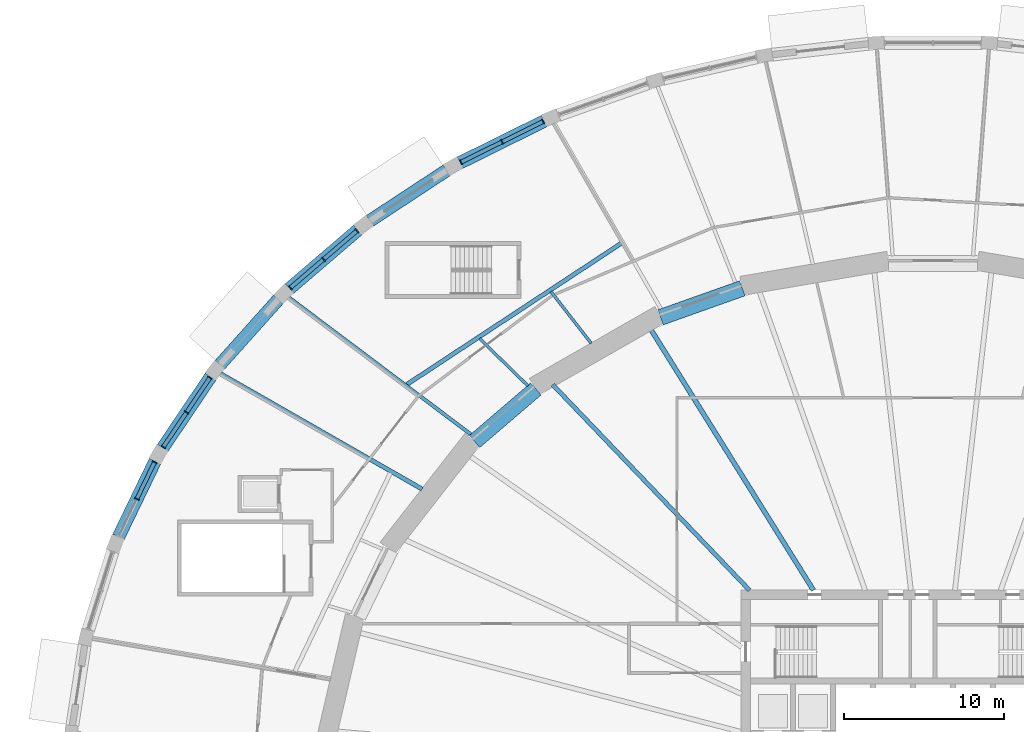
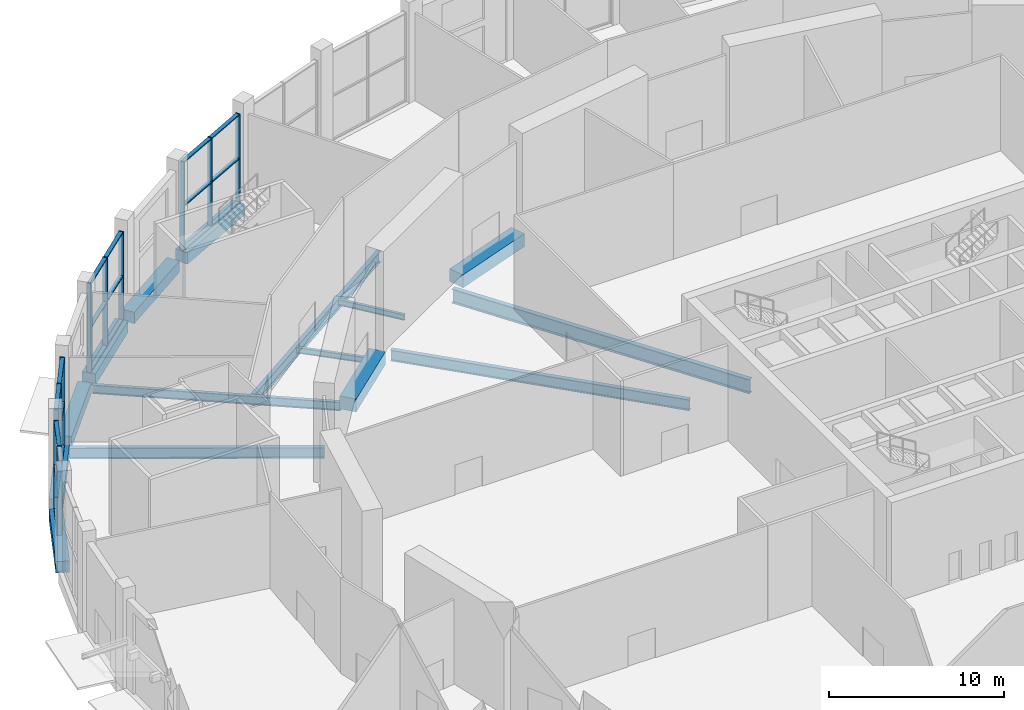
# One storey, part 11 of 33: 32 members, 15 beams, 4 elements without a shape of their own.
"""IFC4 building model written with IfcOpenShell, lengths in metres."""

from ifc_helpers import new_model, si_unit, direction, frame, origin, origin_2d, place, context, subcontext, project, spatial, rectangle, i_section, extrude, material, material_profile, profile_set, type_object, element, aggregate, save


model = new_model("IFC4")

# Units and contexts
model_context = context("Model", 3, precision=1e-05, world=origin(), true_north=direction((0.0, 1.0)))
body_context = subcontext(model_context, "Body", "Model", "MODEL_VIEW")
ifc_project = project(units=[si_unit("LENGTHUNIT", "METRE"), si_unit("AREAUNIT", "SQUARE_METRE"), si_unit("VOLUMEUNIT", "CUBIC_METRE"), si_unit("PLANEANGLEUNIT", "RADIAN"), si_unit("MASSUNIT", "GRAM", prefix="KILO")], contexts=[model_context])

# Site, building, storey
site_placement = place(None, origin())
site = spatial("IfcSite", under=ifc_project, at=site_placement, CompositionType="ELEMENT")
building_placement = place(site_placement, origin())
building = spatial("IfcBuilding", under=site, at=building_placement, Name="Halqa Exchange Tower", CompositionType="ELEMENT")
storey_placement = place(building_placement, origin())
storey = spatial("IfcBuildingStorey", under=building, at=storey_placement, Name="L00", CompositionType="ELEMENT", Elevation=0.0)

# Beams
ifc_material_1 = material(Name="Steel S355", Category="steel")
ifc_material_profile_1 = material_profile(ifc_material_1, i_section(OverallWidth=0.300048828125, OverallDepth=0.989990234375, WebThickness=0.0166015625, FlangeThickness=0.031005859375, FilletRadius=0.030029296875, at=origin_2d()), Name="HEA 1000")
ifc_profile_set_1 = profile_set([ifc_material_profile_1], Name="Steel S355")
beam_type_1 = type_object("IfcBeamType", Name="Floor beam HEA 1000", PredefinedType="BEAM", material=ifc_profile_set_1)
beam_1_placement = place(storey_placement, frame((-7.46533203125, 11.971435546875, -0.945068359375), z_axis=(-0.529145823441, 0.848530905468, 0.0), x_axis=(-0.848530905468, -0.529145823441, 0.0)))
element("IfcBeam", 1, at=beam_1_placement, inside=storey, type_object=beam_type_1, Name="Radial beam 11", PredefinedType="BEAM", context=body_context, shape_type="SweptSolid", body=[
    extrude(i_section(OverallWidth=0.300048828125, OverallDepth=0.989990234375, WebThickness=0.0166015625, FlangeThickness=0.031005859375, FilletRadius=0.030029296875, at=origin_2d()), origin(), (0.0, 0.0, 1.0), 19.27294921875),
])
ifc_material_profile_2 = material_profile(ifc_material_1, i_section(OverallWidth=0.179931640625, OverallDepth=0.39990234375, WebThickness=0.008544921875, FlangeThickness=0.013427734375, FilletRadius=0.02099609375, at=origin_2d()), Name="IPE 400")
ifc_profile_set_2 = profile_set([ifc_material_profile_2], Name="Steel S355")
beam_type_2 = type_object("IfcBeamType", Name="Floor beam IPE 400", PredefinedType="BEAM", material=ifc_profile_set_2)
beam_2_placement = place(storey_placement, frame((-21.3603515625, 27.40966796875, -0.64990234375), z_axis=(-0.614706293657, 0.788756091919, 0.0), x_axis=(-0.788756091919, -0.614706293657, 0.0)))
element("IfcBeam", 2, at=beam_2_placement, inside=storey, type_object=beam_type_2, Name="Radial beam 17a", PredefinedType="BEAM", context=body_context, shape_type="SweptSolid", body=[
    extrude(i_section(OverallWidth=0.179931640625, OverallDepth=0.39990234375, WebThickness=0.008544921875, FlangeThickness=0.013427734375, FilletRadius=0.02099609375, at=origin_2d()), origin(), (0.0, 0.0, 1.0), 4.104248046875),
])
beam_3_placement = place(storey_placement, frame((-25.322265625, 24.757080078125, -0.64990234375), z_axis=(-0.715007310884, 0.699116975464, 0.0), x_axis=(-0.699116975464, -0.715007310884, 0.0)))
element("IfcBeam", 3, at=beam_3_placement, inside=storey, type_object=beam_type_2, Name="Radial beam 18a", PredefinedType="BEAM", context=body_context, shape_type="SweptSolid", body=[
    extrude(i_section(OverallWidth=0.179931640625, OverallDepth=0.39990234375, WebThickness=0.008544921875, FlangeThickness=0.013427734375, FilletRadius=0.02099609375, at=origin_2d()), origin(), (0.0, 0.0, 1.0), 4.22509765625),
])
ifc_material_profile_3 = material_profile(ifc_material_1, i_section(OverallWidth=0.219970703125, OverallDepth=0.60009765625, WebThickness=0.011962890625, FlangeThickness=0.01904296875, FilletRadius=0.02392578125, at=origin_2d()), Name="IPE 600")
ifc_profile_set_3 = profile_set([ifc_material_profile_3], Name="Steel S355")
beam_type_3 = type_object("IfcBeamType", Name="Floor beam IPE 600", PredefinedType="BEAM", material=ifc_profile_set_3)
beam_4_placement = place(storey_placement, frame((-28.875732421875, 21.71240234375, -0.75), z_axis=(-0.799257291391, 0.600989003359, 0.0), x_axis=(-0.600989003359, -0.799257291391, 0.0)))
element("IfcBeam", 4, at=beam_4_placement, inside=storey, type_object=beam_type_3, Name="Radial beam 19", PredefinedType="BEAM", context=body_context, shape_type="SweptSolid", body=[
    extrude(i_section(OverallWidth=0.219970703125, OverallDepth=0.60009765625, WebThickness=0.011962890625, FlangeThickness=0.01904296875, FilletRadius=0.02392578125, at=origin_2d()), origin(), (0.0, 0.0, 1.0), 14.291259765625),
])
ifc_material_profile_4 = material_profile(ifc_material_1, i_section(OverallWidth=0.264892578125, OverallDepth=0.7529296875, WebThickness=0.01318359375, FlangeThickness=0.01708984375, FilletRadius=0.01708984375, at=origin_2d()), Name="IPE 750x147")
ifc_profile_set_4 = profile_set([ifc_material_profile_4], Name="Steel S355")
beam_type_4 = type_object("IfcBeamType", Name="Floor beam IPE 750x147", PredefinedType="BEAM", material=ifc_profile_set_4)
beam_5_placement = place(storey_placement, frame((-31.942626953125, 18.300048828125, -0.826416015625), z_axis=(-0.867691436398, 0.497103179633, 0.0), x_axis=(-0.497103179633, -0.867691436398, 0.0)))
element("IfcBeam", 5, at=beam_5_placement, inside=storey, type_object=beam_type_4, Name="Radial beam 20", PredefinedType="BEAM", context=body_context, shape_type="SweptSolid", body=[
    extrude(i_section(OverallWidth=0.264892578125, OverallDepth=0.7529296875, WebThickness=0.01318359375, FlangeThickness=0.01708984375, FilletRadius=0.01708984375, at=origin_2d()), origin(), (0.0, 0.0, 1.0), 14.555908203125),
])
ifc_material_profile_5 = material_profile(ifc_material_1, i_section(OverallWidth=0.26806640625, OverallDepth=0.77001953125, WebThickness=0.015625, FlangeThickness=0.025390625, FilletRadius=0.01708984375, at=origin_2d()), Name="IPE 750x196")
ifc_profile_set_5 = profile_set([ifc_material_profile_5], Name="Steel S355")
beam_type_5 = type_object("IfcBeamType", Name="Floor beam IPE 750x196", PredefinedType="BEAM", material=ifc_profile_set_5)
beam_6_placement = place(storey_placement, frame((-11.46240234375, 11.9716796875, -0.8349609375), z_axis=(-0.6915763718, 0.722303344841, 0.0), x_axis=(-0.722303344841, -0.6915763718, 0.0)))
element("IfcBeam", 6, at=beam_6_placement, inside=storey, type_object=beam_type_5, Name="Radial beam 12", PredefinedType="BEAM", context=body_context, shape_type="SweptSolid", body=[
    extrude(i_section(OverallWidth=0.26806640625, OverallDepth=0.77001953125, WebThickness=0.015625, FlangeThickness=0.025390625, FilletRadius=0.01708984375, at=origin_2d()), origin(), (0.0, 0.0, 1.0), 17.7978515625),
])
beam_7_placement = place(storey_placement, frame((-19.467041015625, 33.682373046875, -0.8349609375), z_axis=(-0.835204203593, -0.54993994063, 0.0), x_axis=(0.54993994063, -0.835204203593, 0.0)))
element("IfcBeam", 7, at=beam_7_placement, inside=storey, type_object=beam_type_5, Name="Radial beam TPS3-in", PredefinedType="BEAM", context=body_context, shape_type="SweptSolid", body=[
    extrude(i_section(OverallWidth=0.26806640625, OverallDepth=0.77001953125, WebThickness=0.015625, FlangeThickness=0.025390625, FilletRadius=0.01708984375, at=origin_2d()), origin(), (0.0, 0.0, 1.0), 16.07958984375),
])
ifc_material_2 = material(Name="Concrete C60/75", Category="concrete")
ifc_material_profile_6 = material_profile(ifc_material_2, rectangle(XDim=0.800048828125, YDim=0.800048828125, at=origin_2d()), Name="800 x 800")
ifc_profile_set_6 = profile_set([ifc_material_profile_6], Name="Concrete C60/75")
beam_type_6 = type_object("IfcBeamType", Name="RC podium edge beam 800 x 800 C60/75", PredefinedType="SPANDREL", material=ifc_profile_set_6)
beam_8_placement = place(storey_placement, frame((-24.30712890625, 41.3154296875, -0.39990234375), z_axis=(-0.896205416004, -0.443639326847, 0.0), x_axis=(0.443639326847, -0.896205416004, 0.0)))
element("IfcBeam", 8, at=beam_8_placement, inside=storey, type_object=beam_type_6, Name="Podium edge beam 16", PredefinedType="SPANDREL", context=body_context, shape_type="SweptSolid", body=[
    extrude(rectangle(XDim=0.800048828125, YDim=0.800048828125, at=origin_2d()), origin(), (0.0, 0.0, 1.0), 5.880126953125),
])
beam_9_placement = place(storey_placement, frame((-30.396240234375, 38.23681640625, -0.39990234375), z_axis=(-0.835418618456, -0.549614166426, 0.0), x_axis=(0.549614166426, -0.835418618456, 0.0)))
element("IfcBeam", 9, at=beam_9_placement, inside=storey, type_object=beam_type_6, Name="Podium edge beam 17", PredefinedType="SPANDREL", context=body_context, shape_type="SweptSolid", body=[
    extrude(rectangle(XDim=0.800048828125, YDim=0.800048828125, at=origin_2d()), origin(), (0.0, 0.0, 1.0), 5.760986328125),
])
beam_10_placement = place(storey_placement, frame((-35.963134765625, 34.502685546875, -0.39990234375), z_axis=(-0.759174010844, -0.650887717859, 0.0), x_axis=(0.650887717859, -0.759174010844, 0.0)))
element("IfcBeam", 10, at=beam_10_placement, inside=storey, type_object=beam_type_6, Name="Podium edge beam 18", PredefinedType="SPANDREL", context=body_context, shape_type="SweptSolid", body=[
    extrude(rectangle(XDim=0.800048828125, YDim=0.800048828125, at=origin_2d()), origin(), (0.0, 0.0, 1.0), 5.63427734375),
])
beam_11_placement = place(storey_placement, frame((-40.914794921875, 30.175048828125, -0.39990234375), z_axis=(-0.666902525907, -0.745144966392, 0.0), x_axis=(0.745144966392, -0.666902525907, 0.0)))
element("IfcBeam", 11, at=beam_11_placement, inside=storey, type_object=beam_type_6, Name="Podium edge beam 19", PredefinedType="SPANDREL", context=body_context, shape_type="SweptSolid", body=[
    extrude(rectangle(XDim=0.800048828125, YDim=0.800048828125, at=origin_2d()), origin(), (0.0, 0.0, 1.0), 5.501220703125),
])
beam_12_placement = place(storey_placement, frame((-45.1630859375, 25.331298828125, -0.39990234375), z_axis=(-0.558528358221, -0.829485426673, 0.0), x_axis=(0.829485426673, -0.558528358221, 0.0)))
element("IfcBeam", 12, at=beam_12_placement, inside=storey, type_object=beam_type_6, Name="Podium edge beam 20", PredefinedType="SPANDREL", context=body_context, shape_type="SweptSolid", body=[
    extrude(rectangle(XDim=0.800048828125, YDim=0.800048828125, at=origin_2d()), origin(), (0.0, 0.0, 1.0), 5.378173828125),
])
beam_13_placement = place(storey_placement, frame((-48.636962890625, 20.052001953125, -0.39990234375), z_axis=(-0.43497328232, -0.9004433595, 0.0), x_axis=(0.9004433595, -0.43497328232, 0.0)))
element("IfcBeam", 13, at=beam_13_placement, inside=storey, type_object=beam_type_6, Name="Podium edge beam 21", PredefinedType="SPANDREL", context=body_context, shape_type="SweptSolid", body=[
    extrude(rectangle(XDim=0.800048828125, YDim=0.800048828125, at=origin_2d()), origin(), (0.0, 0.0, 1.0), 5.267578125),
])
ifc_material_profile_7 = material_profile(ifc_material_2, rectangle(XDim=1.0, YDim=0.89990234375, at=origin_2d()), Name="1000 x 900")
ifc_profile_set_7 = profile_set([ifc_material_profile_7], Name="Concrete C60/75")
beam_type_7 = type_object("IfcBeamType", Name="RC spandrel beam 1000 x 900 C60/75", PredefinedType="SPANDREL", material=ifc_profile_set_7)
beam_14_placement = place(storey_placement, frame((-11.9130859375, 30.855712890625, -0.449951171875), z_axis=(-0.942357788657, -0.334606930826, 0.0), x_axis=(0.334606930826, -0.942357788657, 0.0)))
element("IfcBeam", 14, at=beam_14_placement, inside=storey, type_object=beam_type_7, Name="Spandrel 10", PredefinedType="SPANDREL", context=body_context, shape_type="SweptSolid", body=[
    extrude(rectangle(XDim=1.0, YDim=0.89990234375, at=origin_2d()), origin(), (0.0, 0.0, 1.0), 5.429931640625),
])
beam_15_placement = place(storey_placement, frame((-24.81982421875, 24.56689453125, -0.449951171875), z_axis=(-0.759263417999, -0.650783421799, 0.0), x_axis=(0.650783421799, -0.759263417999, 0.0)))
element("IfcBeam", 15, at=beam_15_placement, inside=storey, type_object=beam_type_7, Name="Spandrel 12", PredefinedType="SPANDREL", context=body_context, shape_type="SweptSolid", body=[
    extrude(rectangle(XDim=1.0, YDim=0.89990234375, at=origin_2d()), origin(), (0.0, 0.0, 1.0), 5.056884765625),
])

# Curtain wall, members
ifc_material_3 = material(Name="Anodised aluminium and clear glass", Category="aluminium")
curtain_wall_type = type_object("IfcCurtainWallType", Name="Station concourse glazing", PredefinedType="NOTDEFINED", material=ifc_material_3)
curtain_wall_1_placement = place(storey_placement, origin())
curtain_wall_1 = element("IfcCurtainWall", 16, at=curtain_wall_1_placement, inside=storey, type_object=curtain_wall_type, Name="Station concourse glazing run P16", PredefinedType="NOTDEFINED")
ifc_material_4 = material(Name="Anodised aluminium", Category="aluminium")
ifc_material_profile_8 = material_profile(ifc_material_4, rectangle(XDim=0.300048828125, YDim=0.080078125, at=origin_2d()), Name="AL 80x300")
ifc_profile_set_8 = profile_set([ifc_material_profile_8], Name="Anodised aluminium")
member_type_1 = type_object("IfcMemberType", Name="Station concourse glazing mullion 80 x 300", PredefinedType="MULLION", material=ifc_profile_set_8)
member_1_placement = place(storey_placement, frame((-24.367431640625, 41.28564453125, 0.0), z_axis=(0.0, 0.0, 1.0), x_axis=(0.443653417058, -0.896198440934, 0.0)))
member_1 = element("IfcMember", 17, at=member_1_placement, type_object=member_type_1, Name="P16 mullion 1", PredefinedType="MULLION", context=body_context, shape_type="SweptSolid", body=[
    extrude(rectangle(XDim=0.300048828125, YDim=0.080078125, at=origin_2d()), origin(), (0.0, 0.0, 1.0), 6.199951171875),
])
member_2_placement = place(storey_placement, frame((-26.942138671875, 40.010986328125, 0.0), z_axis=(0.0, 0.0, 1.0), x_axis=(0.443653417058, -0.896198440934, 0.0)))
member_2 = element("IfcMember", 18, at=member_2_placement, type_object=member_type_1, Name="P16 mullion 2", PredefinedType="MULLION", context=body_context, shape_type="SweptSolid", body=[
    extrude(rectangle(XDim=0.300048828125, YDim=0.080078125, at=origin_2d()), origin(), (0.0, 0.0, 1.0), 6.199951171875),
])
member_3_placement = place(storey_placement, frame((-29.516845703125, 38.736572265625, 0.0), z_axis=(0.0, 0.0, 1.0), x_axis=(0.443653417058, -0.896198440934, 0.0)))
member_3 = element("IfcMember", 19, at=member_3_placement, type_object=member_type_1, Name="P16 mullion 3", PredefinedType="MULLION", context=body_context, shape_type="SweptSolid", body=[
    extrude(rectangle(XDim=0.300048828125, YDim=0.080078125, at=origin_2d()), origin(), (0.0, 0.0, 1.0), 6.199951171875),
])

curtain_wall_2_placement = place(storey_placement, origin())
curtain_wall_2 = element("IfcCurtainWall", 20, at=curtain_wall_2_placement, inside=storey, type_object=curtain_wall_type, Name="Station concourse glazing run P18", PredefinedType="NOTDEFINED")
member_4_placement = place(storey_placement, frame((-36.0146484375, 34.458740234375, 0.0), z_axis=(0.0, 0.0, 1.0), x_axis=(0.650910929175, -0.759154109704, 0.0)))
member_4 = element("IfcMember", 21, at=member_4_placement, type_object=member_type_1, Name="P18 mullion 1", PredefinedType="MULLION", context=body_context, shape_type="SweptSolid", body=[
    extrude(rectangle(XDim=0.300048828125, YDim=0.080078125, at=origin_2d()), origin(), (0.0, 0.0, 1.0), 6.199951171875),
])
member_5_placement = place(storey_placement, frame((-38.10205078125, 32.6689453125, 0.0), z_axis=(0.0, 0.0, 1.0), x_axis=(0.650910929175, -0.759154109704, 0.0)))
member_5 = element("IfcMember", 22, at=member_5_placement, type_object=member_type_1, Name="P18 mullion 2", PredefinedType="MULLION", context=body_context, shape_type="SweptSolid", body=[
    extrude(rectangle(XDim=0.300048828125, YDim=0.080078125, at=origin_2d()), origin(), (0.0, 0.0, 1.0), 6.199951171875),
])
member_6_placement = place(storey_placement, frame((-40.189453125, 30.879150390625, 0.0), z_axis=(0.0, 0.0, 1.0), x_axis=(0.650910929175, -0.759154109704, 0.0)))
member_6 = element("IfcMember", 23, at=member_6_placement, type_object=member_type_1, Name="P18 mullion 3", PredefinedType="MULLION", context=body_context, shape_type="SweptSolid", body=[
    extrude(rectangle(XDim=0.300048828125, YDim=0.080078125, at=origin_2d()), origin(), (0.0, 0.0, 1.0), 6.199951171875),
])

curtain_wall_3_placement = place(storey_placement, origin())
curtain_wall_3 = element("IfcCurtainWall", 24, at=curtain_wall_3_placement, inside=storey, type_object=curtain_wall_type, Name="Station concourse glazing run P20", PredefinedType="NOTDEFINED")
member_7_placement = place(storey_placement, frame((-45.200927734375, 25.27490234375, 0.0), z_axis=(0.0, 0.0, 1.0), x_axis=(0.8294895023, -0.55852230535, 0.0)))
member_7 = element("IfcMember", 25, at=member_7_placement, type_object=member_type_1, Name="P20 mullion 1", PredefinedType="MULLION", context=body_context, shape_type="SweptSolid", body=[
    extrude(rectangle(XDim=0.300048828125, YDim=0.080078125, at=origin_2d()), origin(), (0.0, 0.0, 1.0), 6.199951171875),
])
member_8_placement = place(storey_placement, frame((-46.665283203125, 23.100341796875, 0.0), z_axis=(0.0, 0.0, 1.0), x_axis=(0.8294895023, -0.55852230535, 0.0)))
member_8 = element("IfcMember", 26, at=member_8_placement, type_object=member_type_1, Name="P20 mullion 2", PredefinedType="MULLION", context=body_context, shape_type="SweptSolid", body=[
    extrude(rectangle(XDim=0.300048828125, YDim=0.080078125, at=origin_2d()), origin(), (0.0, 0.0, 1.0), 6.199951171875),
])
member_9_placement = place(storey_placement, frame((-48.12939453125, 20.92578125, 0.0), z_axis=(0.0, 0.0, 1.0), x_axis=(0.8294895023, -0.55852230535, 0.0)))
member_9 = element("IfcMember", 27, at=member_9_placement, type_object=member_type_1, Name="P20 mullion 3", PredefinedType="MULLION", context=body_context, shape_type="SweptSolid", body=[
    extrude(rectangle(XDim=0.300048828125, YDim=0.080078125, at=origin_2d()), origin(), (0.0, 0.0, 1.0), 6.199951171875),
])

curtain_wall_4_placement = place(storey_placement, origin())
curtain_wall_4 = element("IfcCurtainWall", 28, at=curtain_wall_4_placement, inside=storey, type_object=curtain_wall_type, Name="Station concourse glazing run P21", PredefinedType="NOTDEFINED")
member_10_placement = place(storey_placement, frame((-48.666015625, 19.99169921875, 0.0), z_axis=(0.0, 0.0, 1.0), x_axis=(0.90043534892, -0.434989864727, 0.0)))
member_10 = element("IfcMember", 29, at=member_10_placement, type_object=member_type_1, Name="P21 mullion 1", PredefinedType="MULLION", context=body_context, shape_type="SweptSolid", body=[
    extrude(rectangle(XDim=0.300048828125, YDim=0.080078125, at=origin_2d()), origin(), (0.0, 0.0, 1.0), 6.199951171875),
])
member_11_placement = place(storey_placement, frame((-49.78271484375, 17.680419921875, 0.0), z_axis=(0.0, 0.0, 1.0), x_axis=(0.90043534892, -0.434989864727, 0.0)))
member_11 = element("IfcMember", 30, at=member_11_placement, type_object=member_type_1, Name="P21 mullion 2", PredefinedType="MULLION", context=body_context, shape_type="SweptSolid", body=[
    extrude(rectangle(XDim=0.300048828125, YDim=0.080078125, at=origin_2d()), origin(), (0.0, 0.0, 1.0), 6.199951171875),
])

# Member
ifc_material_profile_9 = material_profile(ifc_material_4, rectangle(XDim=0.25, YDim=0.080078125, at=origin_2d()), Name="AL 80x250")
ifc_profile_set_9 = profile_set([ifc_material_profile_9], Name="Anodised aluminium")
member_type_2 = type_object("IfcMemberType", Name="Station concourse glazing transom 80 x 250", PredefinedType="USERDEFINED", material=ifc_profile_set_9)
member_12_placement = place(storey_placement, frame((-24.4033203125, 41.267822265625, 0.0400390625), z_axis=(-0.896203395176, -0.443643409142, 0.0), x_axis=(0.443643409142, -0.896203395176, 0.0)))
member_12 = element("IfcMember", 31, at=member_12_placement, type_object=member_type_2, Name="P16 transom 1.1", ObjectType="TRANSOM", PredefinedType="USERDEFINED", context=body_context, shape_type="SweptSolid", body=[
    extrude(rectangle(XDim=0.25, YDim=0.080078125, at=origin_2d()), origin(), (0.0, 0.0, 1.0), 2.792724609375),
])

member_13_placement = place(storey_placement, frame((-24.4033203125, 41.267822265625, 3.10009765625), z_axis=(-0.896203395176, -0.443643409142, 0.0), x_axis=(0.443643409142, -0.896203395176, 0.0)))
member_13 = element("IfcMember", 32, at=member_13_placement, type_object=member_type_2, Name="P16 transom 1.2", ObjectType="TRANSOM", PredefinedType="USERDEFINED", context=body_context, shape_type="SweptSolid", body=[
    extrude(rectangle(XDim=0.25, YDim=0.080078125, at=origin_2d()), origin(), (0.0, 0.0, 1.0), 2.792724609375),
])

member_14_placement = place(storey_placement, frame((-24.4033203125, 41.267822265625, 6.159912109375), z_axis=(-0.896203395176, -0.443643409142, 0.0), x_axis=(0.443643409142, -0.896203395176, 0.0)))
member_14 = element("IfcMember", 33, at=member_14_placement, type_object=member_type_2, Name="P16 transom 1.3", ObjectType="TRANSOM", PredefinedType="USERDEFINED", context=body_context, shape_type="SweptSolid", body=[
    extrude(rectangle(XDim=0.25, YDim=0.080078125, at=origin_2d()), origin(), (0.0, 0.0, 1.0), 2.792724609375),
])

member_15_placement = place(storey_placement, frame((-26.97802734375, 39.993408203125, 0.0400390625), z_axis=(-0.896203395176, -0.443643409142, 0.0), x_axis=(0.443643409142, -0.896203395176, 0.0)))
member_15 = element("IfcMember", 34, at=member_15_placement, type_object=member_type_2, Name="P16 transom 2.1", ObjectType="TRANSOM", PredefinedType="USERDEFINED", context=body_context, shape_type="SweptSolid", body=[
    extrude(rectangle(XDim=0.25, YDim=0.080078125, at=origin_2d()), origin(), (0.0, 0.0, 1.0), 2.792724609375),
])

member_16_placement = place(storey_placement, frame((-26.97802734375, 39.993408203125, 3.10009765625), z_axis=(-0.896203395176, -0.443643409142, 0.0), x_axis=(0.443643409142, -0.896203395176, 0.0)))
member_16 = element("IfcMember", 35, at=member_16_placement, type_object=member_type_2, Name="P16 transom 2.2", ObjectType="TRANSOM", PredefinedType="USERDEFINED", context=body_context, shape_type="SweptSolid", body=[
    extrude(rectangle(XDim=0.25, YDim=0.080078125, at=origin_2d()), origin(), (0.0, 0.0, 1.0), 2.792724609375),
])

member_17_placement = place(storey_placement, frame((-26.97802734375, 39.993408203125, 6.159912109375), z_axis=(-0.896203395176, -0.443643409142, 0.0), x_axis=(0.443643409142, -0.896203395176, 0.0)))
member_17 = element("IfcMember", 36, at=member_17_placement, type_object=member_type_2, Name="P16 transom 2.3", ObjectType="TRANSOM", PredefinedType="USERDEFINED", context=body_context, shape_type="SweptSolid", body=[
    extrude(rectangle(XDim=0.25, YDim=0.080078125, at=origin_2d()), origin(), (0.0, 0.0, 1.0), 2.792724609375),
])

aggregate(curtain_wall_1, [member_1, member_2, member_3, member_12, member_13, member_14, member_15, member_16, member_17])

member_18_placement = place(storey_placement, frame((-36.044921875, 34.4326171875, 0.0400390625), z_axis=(-0.759172672119, -0.6508892793, 0.0), x_axis=(0.6508892793, -0.759172672119, 0.0)))
member_18 = element("IfcMember", 37, at=member_18_placement, type_object=member_type_2, Name="P18 transom 1.1", ObjectType="TRANSOM", PredefinedType="USERDEFINED", context=body_context, shape_type="SweptSolid", body=[
    extrude(rectangle(XDim=0.25, YDim=0.080078125, at=origin_2d()), origin(), (0.0, 0.0, 1.0), 2.66943359375),
])

member_19_placement = place(storey_placement, frame((-36.044921875, 34.4326171875, 3.10009765625), z_axis=(-0.759172672119, -0.6508892793, 0.0), x_axis=(0.6508892793, -0.759172672119, 0.0)))
member_19 = element("IfcMember", 38, at=member_19_placement, type_object=member_type_2, Name="P18 transom 1.2", ObjectType="TRANSOM", PredefinedType="USERDEFINED", context=body_context, shape_type="SweptSolid", body=[
    extrude(rectangle(XDim=0.25, YDim=0.080078125, at=origin_2d()), origin(), (0.0, 0.0, 1.0), 2.66943359375),
])

member_20_placement = place(storey_placement, frame((-36.044921875, 34.4326171875, 6.159912109375), z_axis=(-0.759172672119, -0.6508892793, 0.0), x_axis=(0.6508892793, -0.759172672119, 0.0)))
member_20 = element("IfcMember", 39, at=member_20_placement, type_object=member_type_2, Name="P18 transom 1.3", ObjectType="TRANSOM", PredefinedType="USERDEFINED", context=body_context, shape_type="SweptSolid", body=[
    extrude(rectangle(XDim=0.25, YDim=0.080078125, at=origin_2d()), origin(), (0.0, 0.0, 1.0), 2.66943359375),
])

member_21_placement = place(storey_placement, frame((-38.13232421875, 32.642822265625, 0.0400390625), z_axis=(-0.759172672119, -0.6508892793, 0.0), x_axis=(0.6508892793, -0.759172672119, 0.0)))
member_21 = element("IfcMember", 40, at=member_21_placement, type_object=member_type_2, Name="P18 transom 2.1", ObjectType="TRANSOM", PredefinedType="USERDEFINED", context=body_context, shape_type="SweptSolid", body=[
    extrude(rectangle(XDim=0.25, YDim=0.080078125, at=origin_2d()), origin(), (0.0, 0.0, 1.0), 2.66943359375),
])

member_22_placement = place(storey_placement, frame((-38.13232421875, 32.642822265625, 3.10009765625), z_axis=(-0.759172672119, -0.6508892793, 0.0), x_axis=(0.6508892793, -0.759172672119, 0.0)))
member_22 = element("IfcMember", 41, at=member_22_placement, type_object=member_type_2, Name="P18 transom 2.2", ObjectType="TRANSOM", PredefinedType="USERDEFINED", context=body_context, shape_type="SweptSolid", body=[
    extrude(rectangle(XDim=0.25, YDim=0.080078125, at=origin_2d()), origin(), (0.0, 0.0, 1.0), 2.66943359375),
])

member_23_placement = place(storey_placement, frame((-38.13232421875, 32.642822265625, 6.159912109375), z_axis=(-0.759172672119, -0.6508892793, 0.0), x_axis=(0.6508892793, -0.759172672119, 0.0)))
member_23 = element("IfcMember", 42, at=member_23_placement, type_object=member_type_2, Name="P18 transom 2.3", ObjectType="TRANSOM", PredefinedType="USERDEFINED", context=body_context, shape_type="SweptSolid", body=[
    extrude(rectangle(XDim=0.25, YDim=0.080078125, at=origin_2d()), origin(), (0.0, 0.0, 1.0), 2.66943359375),
])

aggregate(curtain_wall_2, [member_4, member_5, member_6, member_18, member_19, member_20, member_21, member_22, member_23])

member_24_placement = place(storey_placement, frame((-45.223388671875, 25.241943359375, 0.0400390625), z_axis=(-0.558462812465, -0.829529557697, 0.0), x_axis=(0.829529557697, -0.558462812465, 0.0)))
member_24 = element("IfcMember", 43, at=member_24_placement, type_object=member_type_2, Name="P20 transom 1.1", ObjectType="TRANSOM", PredefinedType="USERDEFINED", context=body_context, shape_type="SweptSolid", body=[
    extrude(rectangle(XDim=0.25, YDim=0.080078125, at=origin_2d()), origin(), (0.0, 0.0, 1.0), 2.541748046875),
])

member_25_placement = place(storey_placement, frame((-45.223388671875, 25.241943359375, 3.10009765625), z_axis=(-0.558462812465, -0.829529557697, 0.0), x_axis=(0.829529557697, -0.558462812465, 0.0)))
member_25 = element("IfcMember", 44, at=member_25_placement, type_object=member_type_2, Name="P20 transom 1.2", ObjectType="TRANSOM", PredefinedType="USERDEFINED", context=body_context, shape_type="SweptSolid", body=[
    extrude(rectangle(XDim=0.25, YDim=0.080078125, at=origin_2d()), origin(), (0.0, 0.0, 1.0), 2.541748046875),
])

member_26_placement = place(storey_placement, frame((-45.223388671875, 25.241943359375, 6.159912109375), z_axis=(-0.558462812465, -0.829529557697, 0.0), x_axis=(0.829529557697, -0.558462812465, 0.0)))
member_26 = element("IfcMember", 45, at=member_26_placement, type_object=member_type_2, Name="P20 transom 1.3", ObjectType="TRANSOM", PredefinedType="USERDEFINED", context=body_context, shape_type="SweptSolid", body=[
    extrude(rectangle(XDim=0.25, YDim=0.080078125, at=origin_2d()), origin(), (0.0, 0.0, 1.0), 2.541748046875),
])

member_27_placement = place(storey_placement, frame((-46.6875, 23.0673828125, 0.0400390625), z_axis=(-0.558528904332, -0.829485058953, 0.0), x_axis=(0.829485058953, -0.558528904332, 0.0)))
member_27 = element("IfcMember", 46, at=member_27_placement, type_object=member_type_2, Name="P20 transom 2.1", ObjectType="TRANSOM", PredefinedType="USERDEFINED", context=body_context, shape_type="SweptSolid", body=[
    extrude(rectangle(XDim=0.25, YDim=0.080078125, at=origin_2d()), origin(), (0.0, 0.0, 1.0), 2.541748046875),
])

member_28_placement = place(storey_placement, frame((-46.6875, 23.0673828125, 3.10009765625), z_axis=(-0.558528904332, -0.829485058953, 0.0), x_axis=(0.829485058953, -0.558528904332, 0.0)))
member_28 = element("IfcMember", 47, at=member_28_placement, type_object=member_type_2, Name="P20 transom 2.2", ObjectType="TRANSOM", PredefinedType="USERDEFINED", context=body_context, shape_type="SweptSolid", body=[
    extrude(rectangle(XDim=0.25, YDim=0.080078125, at=origin_2d()), origin(), (0.0, 0.0, 1.0), 2.541748046875),
])

member_29_placement = place(storey_placement, frame((-46.6875, 23.0673828125, 6.159912109375), z_axis=(-0.558528904332, -0.829485058953, 0.0), x_axis=(0.829485058953, -0.558528904332, 0.0)))
member_29 = element("IfcMember", 48, at=member_29_placement, type_object=member_type_2, Name="P20 transom 2.3", ObjectType="TRANSOM", PredefinedType="USERDEFINED", context=body_context, shape_type="SweptSolid", body=[
    extrude(rectangle(XDim=0.25, YDim=0.080078125, at=origin_2d()), origin(), (0.0, 0.0, 1.0), 2.541748046875),
])

aggregate(curtain_wall_3, [member_7, member_8, member_9, member_24, member_25, member_26, member_27, member_28, member_29])

member_30_placement = place(storey_placement, frame((-48.683349609375, 19.955810546875, 0.0400390625), z_axis=(-0.434960430971, -0.900449567433, 0.0), x_axis=(0.900449567433, -0.434960430971, 0.0)))
member_30 = element("IfcMember", 49, at=member_30_placement, type_object=member_type_2, Name="P21 transom 1.1", ObjectType="TRANSOM", PredefinedType="USERDEFINED", context=body_context, shape_type="SweptSolid", body=[
    extrude(rectangle(XDim=0.25, YDim=0.080078125, at=origin_2d()), origin(), (0.0, 0.0, 1.0), 2.487060546875),
])

member_31_placement = place(storey_placement, frame((-48.683349609375, 19.955810546875, 3.10009765625), z_axis=(-0.434960430971, -0.900449567433, 0.0), x_axis=(0.900449567433, -0.434960430971, 0.0)))
member_31 = element("IfcMember", 50, at=member_31_placement, type_object=member_type_2, Name="P21 transom 1.2", ObjectType="TRANSOM", PredefinedType="USERDEFINED", context=body_context, shape_type="SweptSolid", body=[
    extrude(rectangle(XDim=0.25, YDim=0.080078125, at=origin_2d()), origin(), (0.0, 0.0, 1.0), 2.487060546875),
])

member_32_placement = place(storey_placement, frame((-48.683349609375, 19.955810546875, 6.159912109375), z_axis=(-0.434960430971, -0.900449567433, 0.0), x_axis=(0.900449567433, -0.434960430971, 0.0)))
member_32 = element("IfcMember", 51, at=member_32_placement, type_object=member_type_2, Name="P21 transom 1.3", ObjectType="TRANSOM", PredefinedType="USERDEFINED", context=body_context, shape_type="SweptSolid", body=[
    extrude(rectangle(XDim=0.25, YDim=0.080078125, at=origin_2d()), origin(), (0.0, 0.0, 1.0), 2.487060546875),
])

aggregate(curtain_wall_4, [member_10, member_11, member_30, member_31, member_32])

save(model, "model.ifc")
